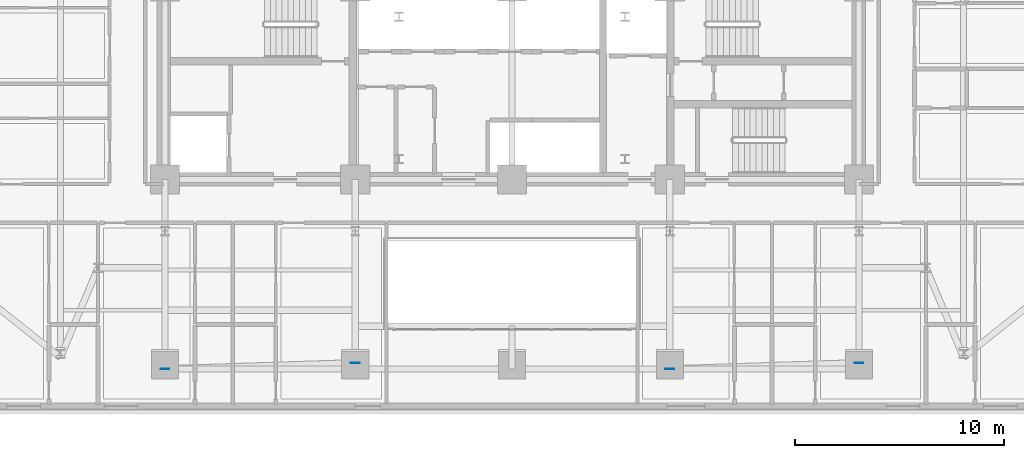
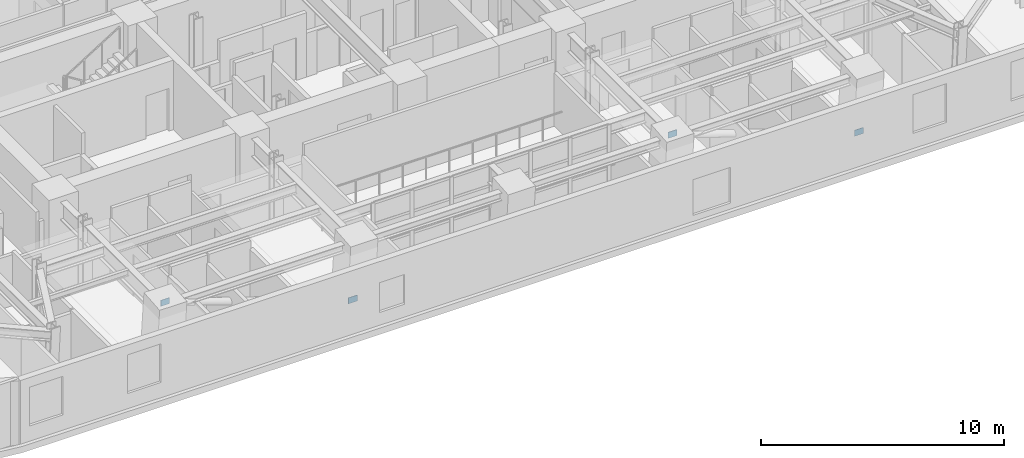
# One storey, part 7 of 16: 4 plates.
"""IFC4 building model written with IfcOpenShell, lengths in metres."""

from ifc_helpers import new_model, si_unit, direction, frame, origin, origin_2d, place, context, subcontext, project, spatial, rectangle, extrude, material, layer, layer_set, type_object, element, save


model = new_model("IFC4")

# Units and contexts
model_context = context("Model", 3, precision=1e-05, world=origin(), true_north=direction((0.0, 1.0)))
body_context = subcontext(model_context, "Body", "Model", "MODEL_VIEW")
ifc_project = project(units=[si_unit("LENGTHUNIT", "METRE"), si_unit("AREAUNIT", "SQUARE_METRE"), si_unit("VOLUMEUNIT", "CUBIC_METRE"), si_unit("PLANEANGLEUNIT", "RADIAN"), si_unit("MASSUNIT", "GRAM", prefix="KILO")], contexts=[model_context])

# Site, building, storey
site_placement = place(None, origin())
site = spatial("IfcSite", under=ifc_project, at=site_placement, CompositionType="ELEMENT")
building_placement = place(site_placement, origin())
building = spatial("IfcBuilding", under=site, at=building_placement, Name="Zarnavel Station Tower", CompositionType="ELEMENT")
storey_placement = place(building_placement, frame((0.0, 0.0, 79.300048828125)))
storey = spatial("IfcBuildingStorey", under=building, at=storey_placement, Name="L21", CompositionType="ELEMENT", Elevation=79.300048828125)

# Plates
ifc_material = material(Name="Steel S460M", Category="steel")
ifc_layer = layer(ifc_material, 0.02490234375)
ifc_layer_set = layer_set([ifc_layer], Name="GP_GUSSET_25")
plate_type = type_object("IfcPlateType", Name="GP_GUSSET_25", PredefinedType="USERDEFINED", material=ifc_layer_set)
for number, where, z_axis, x_axis, name in (
    (1, (21.300048828125, 19.041748046875, -0.14990234375), (0.0, 0.0, 1.0), (1.0, 0.0, 0.0), "L21 Exterior Diagonal Brace End Gusset 1-1"),
    (2, (12.199951171875, 18.748291015625, 3.08984375), (0.0, 0.0, 1.0), (1.0, 0.0, 0.0), "L21 Exterior Diagonal Brace End Gusset 1-2"),
    (3, (45.39990234375, 19.041748046875, -0.14990234375), (0.0, 0.0, 1.0), (1.0, 0.0, 0.0), "L21 Exterior Diagonal Brace End Gusset 2-1"),
    (4, (36.35009765625, 18.748291015625, 3.08984375), (0.0, 0.0, 1.0), (1.0, 0.0, 0.0), "L21 Exterior Diagonal Brace End Gusset 2-2"),
):
    element("IfcPlate", number, at=place(storey_placement, frame(where, z_axis=z_axis, x_axis=x_axis)), inside=storey, type_object=plate_type, Name=name, ObjectType="GUSSET_PLATE", PredefinedType="USERDEFINED", context=body_context, shape_type="SweptSolid", body=[
        extrude(rectangle(XDim=0.419921875, YDim=0.02490234375, at=origin_2d()), origin(), (0.0, 0.0, 1.0), 0.300048828125),
    ])

save(model, "model.ifc")
